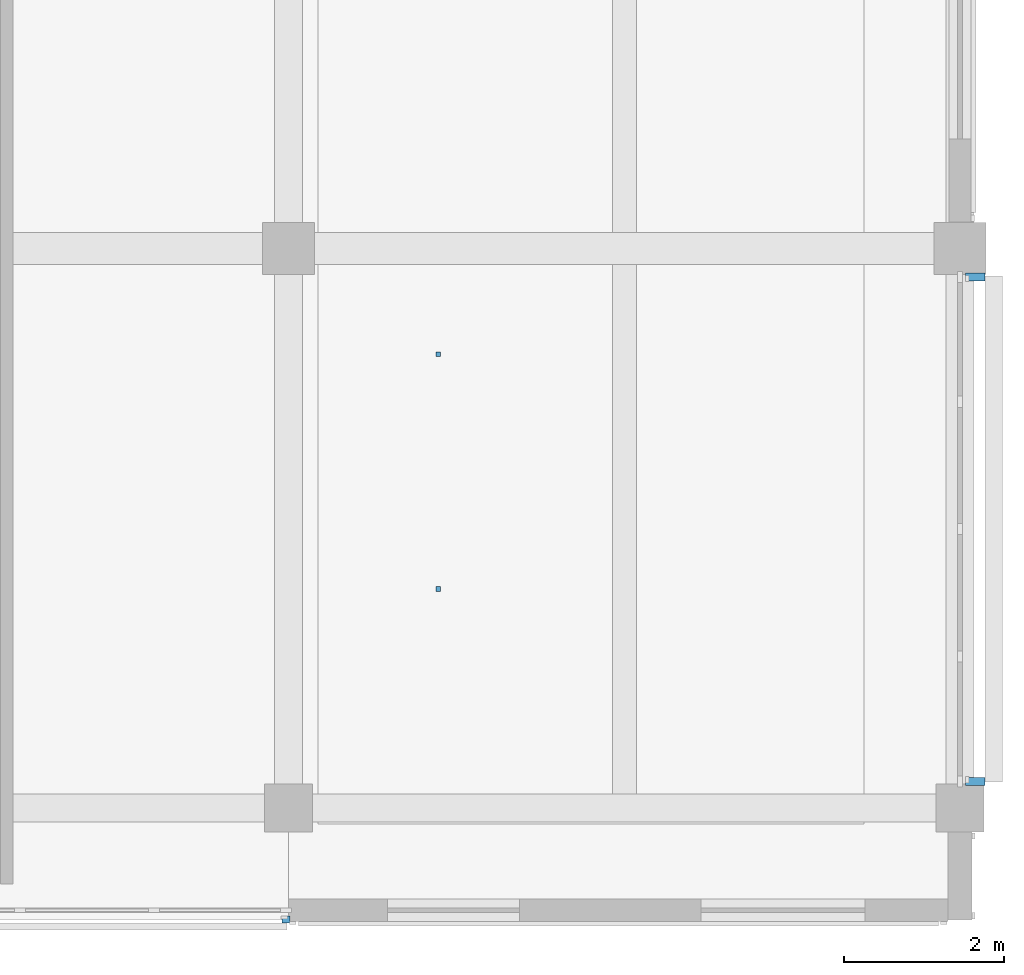
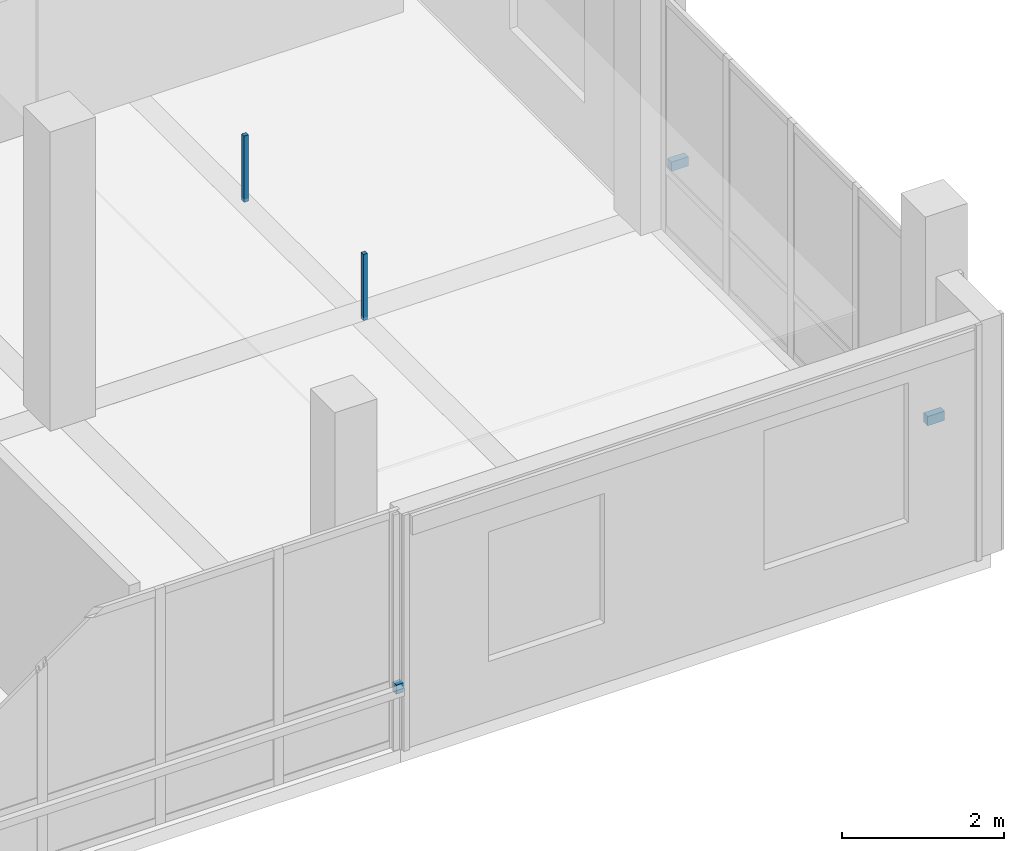
# One storey, part 18 of 30: 5 discrete accessories.
"""IFC4 building model written with IfcOpenShell, lengths in metres."""

from ifc_helpers import new_model, si_unit, direction, frame, origin, origin_2d, place, context, subcontext, project, spatial, rectangle, extrude, material, type_object, element, save


model = new_model("IFC4")

# Units and contexts
model_context = context("Model", 3, precision=1e-05, world=origin(), true_north=direction((0.0, 1.0)))
body_context = subcontext(model_context, "Body", "Model", "MODEL_VIEW")
ifc_project = project(units=[si_unit("LENGTHUNIT", "METRE"), si_unit("AREAUNIT", "SQUARE_METRE"), si_unit("VOLUMEUNIT", "CUBIC_METRE"), si_unit("PLANEANGLEUNIT", "RADIAN"), si_unit("MASSUNIT", "GRAM", prefix="KILO")], contexts=[model_context])

# Site, building, storey
site_placement = place(None, origin())
site = spatial("IfcSite", under=ifc_project, at=site_placement, CompositionType="ELEMENT")
building_placement = place(site_placement, origin())
building = spatial("IfcBuilding", under=site, at=building_placement, Name="Telukmera Botanical Conservatory", CompositionType="ELEMENT")
storey_placement = place(building_placement, frame((0.0, 0.0, 60.0)))
storey = spatial("IfcBuildingStorey", under=building, at=storey_placement, Name="L13", CompositionType="ELEMENT", Elevation=60.0)

# Discrete accessories
ifc_material = material(Name="Steel S355", Category="steel")
discrete_accessory_type_1 = type_object("IfcDiscreteAccessoryType", Name="ACC-CEIL-HGR", PredefinedType="BRACKET", material=ifc_material)
for number, where, z_axis, x_axis, name in (
    (1, (94.272705078125, 13.33740234375, 3.31005859375), (0.0, 0.0, 1.0), (1.0, 0.0, 0.0), "L13 Suspended Ceiling Hanger Rod 026-1"),
    (2, (94.272705078125, 16.27490234375, 3.31005859375), (0.0, 0.0, 1.0), (1.0, 0.0, 0.0), "L13 Suspended Ceiling Hanger Rod 026-2"),
):
    element("IfcDiscreteAccessory", number, at=place(storey_placement, frame(where, z_axis=z_axis, x_axis=x_axis)), inside=storey, type_object=discrete_accessory_type_1, Name=name, PredefinedType="BRACKET", context=body_context, shape_type="SweptSolid", body=[
        extrude(rectangle(XDim=0.06005859375, YDim=0.06005859375, at=origin_2d()), origin(), (0.0, 0.0, 1.0), 0.9951171875),
    ])
discrete_accessory_type_2 = type_object("IfcDiscreteAccessoryType", Name="Structural Steel Facade Outrigger Fin Bracket", PredefinedType="BRACKET", material=ifc_material)
discrete_accessory_placement = place(storey_placement, frame((92.367919921875, 9.205078125, 0.8798828125), z_axis=(0.0, 0.0, 1.0), x_axis=(1.0, 0.0, 0.0)))
element("IfcDiscreteAccessory", 3, at=discrete_accessory_placement, inside=storey, type_object=discrete_accessory_type_2, Name="Facade Outrigger Bracket V4:L13:S4 B", PredefinedType="BRACKET", context=body_context, shape_type="SweptSolid", body=[
    extrude(rectangle(XDim=0.10009765625, YDim=0.090087890625, at=origin_2d()), origin(), (0.0, 0.0, 1.0), 0.139892578125),
])
for number, where, z_axis, x_axis, name in (
    (4, (100.989990234375, 10.931884765625, 0.8798828125), (0.0, 0.0, 1.0), (0.0, 1.0, 0.0), "Facade Outrigger Bracket V4:L13:E1 A"),
    (5, (100.989990234375, 17.242919921875, 0.8798828125), (0.0, 0.0, 1.0), (0.0, 1.0, 0.0), "Facade Outrigger Bracket V4:L13:E1 B"),
):
    element("IfcDiscreteAccessory", number, at=place(storey_placement, frame(where, z_axis=z_axis, x_axis=x_axis)), inside=storey, type_object=discrete_accessory_type_2, Name=name, PredefinedType="BRACKET", context=body_context, shape_type="SweptSolid", body=[
        extrude(rectangle(XDim=0.10009765625, YDim=0.239990234375, at=origin_2d()), origin(), (0.0, 0.0, 1.0), 0.139892578125),
    ])

save(model, "model.ifc")
